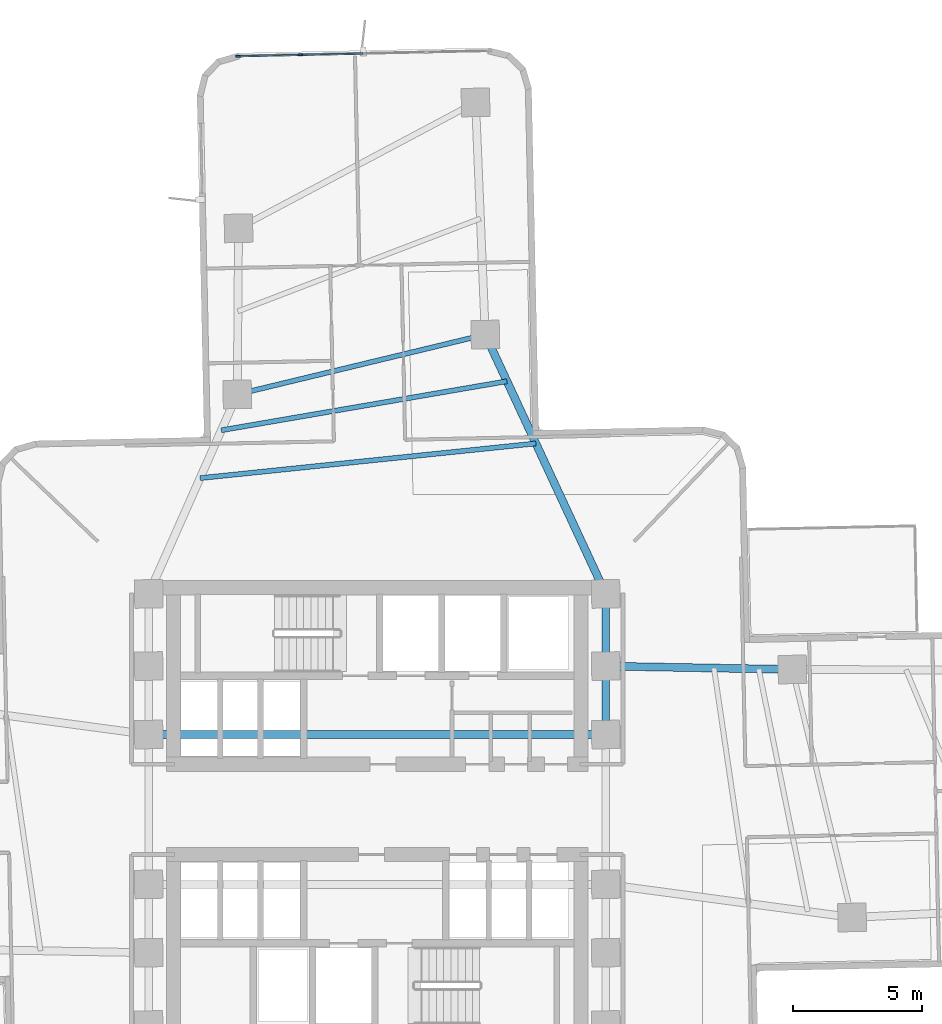
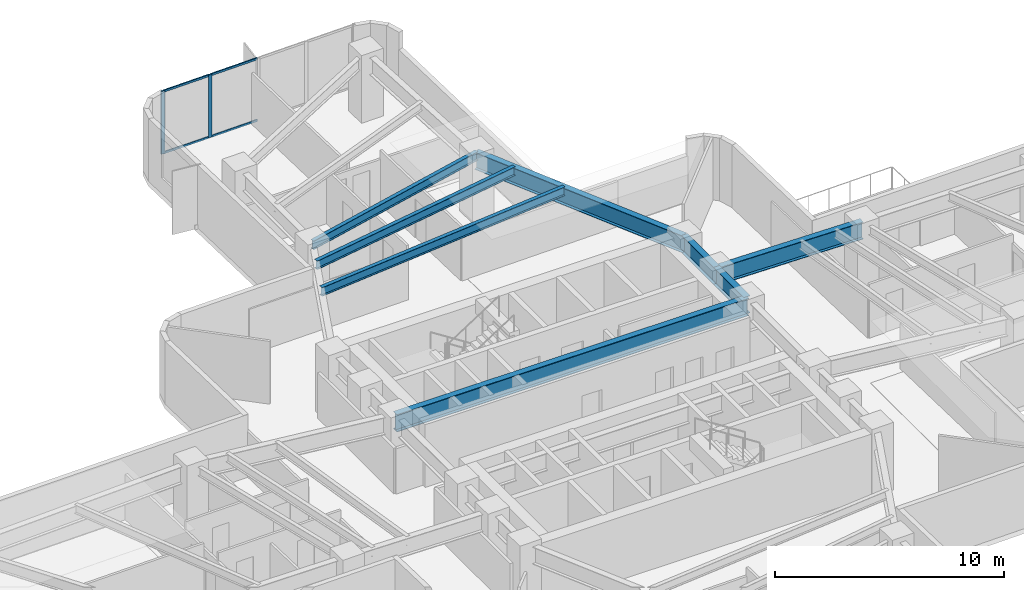
# One storey, part 5 of 15: 8 beams, 6 members, 1 element without a shape of its own.
"""IFC4 building model written with IfcOpenShell, lengths in metres."""

import ifcopenshell
import ifcopenshell.guid

model = None  # the IFC model being written
_history = None  # IfcOwnerHistory: only IFC2X3 demands one
_inside = {}  # id of a spatial element -> (the spatial element, [elements in it])
_under = {}  # id of a project, library or spatial element -> (it, [spatial elements below it])
_declared = {}  # id of a project -> (the project, [libraries it declares])
_typed = {}  # id of a type object -> (the type object, [elements of that type])
_made_of = {}  # id of a material, layer set ... -> (it, [elements and type objects made of it])


def new_model(schema):
    """Start an empty IFC model of exactly this schema.

    Asked for "IFC4X3", IfcOpenShell would pick the latest addendum, in which some entities
    have other attributes; the version numbers below select the first issue.
    IFC2X3 requires an IfcOwnerHistory on every rooted entity: one is made here for all.
    """
    global model, _history
    if schema == "IFC4X3":
        model = ifcopenshell.file(schema_version=(4, 3, 0, 0))
    else:
        model = ifcopenshell.file(schema=schema)
    _inside.clear()
    _under.clear()
    _declared.clear()
    _typed.clear()
    _made_of.clear()
    _history = None
    if model.schema == "IFC2X3":
        org = make("IfcOrganization", Name="unknown")
        user = make(
            "IfcPersonAndOrganization",
            ThePerson=make("IfcPerson", FamilyName="unknown"),
            TheOrganization=org,
        )
        app = make(
            "IfcApplication",
            ApplicationDeveloper=org,
            Version="unknown",
            ApplicationFullName="unknown",
            ApplicationIdentifier="unknown",
        )
        _history = make(
            "IfcOwnerHistory",
            OwningUser=user,
            OwningApplication=app,
            ChangeAction="ADDED",
            CreationDate=0,
        )
    return model


def make(cls, **values):
    """One entity of the class cls with the attributes given. An attribute that is None is left unset."""
    return model.create_entity(
        cls, **{name: value for name, value in values.items() if value is not None}
    )


def rooted(cls, **values):
    """An entity with a GlobalId (a new one), such as an element, a storey or a relation."""
    return make(cls, GlobalId=ifcopenshell.guid.new(), OwnerHistory=_history, **values)


def si_unit(unit_type, name, prefix=None):
    """IfcSIUnit, for example si_unit("LENGTHUNIT", "METRE", prefix="MILLI")."""
    return make("IfcSIUnit", UnitType=unit_type, Prefix=prefix, Name=name)


def assignment(units):
    """IfcUnitAssignment: the units of a project."""
    return None if units is None else make("IfcUnitAssignment", Units=units)


def point(xyz):
    """IfcCartesianPoint."""
    return None if xyz is None else make("IfcCartesianPoint", Coordinates=xyz)


def direction(xyz):
    """IfcDirection."""
    return None if xyz is None else make("IfcDirection", DirectionRatios=xyz)


def frame(location, z_axis=None, x_axis=None):
    """IfcAxis2Placement3D, a coordinate frame: its origin and axes. An axis left out is left unset."""
    return make(
        "IfcAxis2Placement3D",
        Location=point(location),
        Axis=direction(z_axis),
        RefDirection=direction(x_axis),
    )


def frame_2d(location, x_axis=None):
    """IfcAxis2Placement2D, a coordinate frame in the plane: its origin and x axis."""
    return make(
        "IfcAxis2Placement2D", Location=point(location), RefDirection=direction(x_axis)
    )


def origin():
    """The frame at (0, 0, 0) with its axes left unset."""
    return frame((0.0, 0.0, 0.0))


def origin_2d():
    """The frame at (0, 0) in the plane with its x axis left unset."""
    return frame_2d((0.0, 0.0))


def place(relative_to, where):
    """IfcLocalPlacement: puts the frame where relative to a parent placement (None: the world)."""
    return make(
        "IfcLocalPlacement", PlacementRelTo=relative_to, RelativePlacement=where
    )


def context(
    kind, dimensions, precision=None, world=None, true_north=None, identifier=None
):
    """IfcGeometricRepresentationContext, for example the 3D "Model" context."""
    return make(
        "IfcGeometricRepresentationContext",
        ContextIdentifier=identifier,
        ContextType=kind,
        CoordinateSpaceDimension=dimensions,
        Precision=precision,
        WorldCoordinateSystem=world,
        TrueNorth=true_north,
    )


def subcontext(parent, identifier, kind, view, scale=None):
    """IfcGeometricRepresentationSubContext, for example "Body" below "Model"."""
    return make(
        "IfcGeometricRepresentationSubContext",
        ContextIdentifier=identifier,
        ContextType=kind,
        ParentContext=parent,
        TargetScale=scale,
        TargetView=view,
    )


def project(units=None, contexts=None):
    """IfcProject with its units and contexts."""
    return rooted(
        "IfcProject",
        Name="project",
        RepresentationContexts=contexts,
        UnitsInContext=assignment(units),
    )


def spatial(cls, under=None, at=None, **own):
    """A site, building, storey or space (cls), placed at a placement, below another one or the project."""
    s = rooted(cls, ObjectPlacement=at, **own)
    if under is not None:
        _under.setdefault(under.id(), (under, []))[1].append(s)
    return s


def profile(cls, at=None, kind="AREA", **sizes):
    """A parametric profile (cls). Its sizes go by their IFC names, for example OverallWidth=200.0."""
    return make(cls, ProfileType=kind, Position=at, **sizes)


def rectangle(**sizes):
    """IfcRectangleProfileDef."""
    return profile("IfcRectangleProfileDef", **sizes)


def i_section(**sizes):
    """IfcIShapeProfileDef."""
    return profile("IfcIShapeProfileDef", **sizes)


def extrude(swept, where, along, depth):
    """IfcExtrudedAreaSolid: the profile swept, set in the frame where, extruded along a direction by depth."""
    return make(
        "IfcExtrudedAreaSolid",
        SweptArea=swept,
        Position=where,
        ExtrudedDirection=direction(along),
        Depth=depth,
    )


def shape(context_of_items, identifier, shape_type, items):
    """IfcShapeRepresentation: the items that make up one representation, for example the "Body"."""
    return make(
        "IfcShapeRepresentation",
        ContextOfItems=context_of_items,
        RepresentationIdentifier=identifier,
        RepresentationType=shape_type,
        Items=items,
    )


def material(Name=None, Category=None):
    """IfcMaterial."""
    return make("IfcMaterial", Name=Name, Category=Category)


def layer(
    of_material, thickness, ventilated=None, Name=None, Category=None, Priority=None
):
    """IfcMaterialLayer: one layer of a wall or slab, of a material (None: an air gap)."""
    return make(
        "IfcMaterialLayer",
        Material=of_material,
        LayerThickness=thickness,
        IsVentilated=ventilated,
        Name=Name,
        Category=Category,
        Priority=Priority,
    )


def layer_set(layers, Name=None):
    """IfcMaterialLayerSet."""
    return make("IfcMaterialLayerSet", MaterialLayers=layers, LayerSetName=Name)


def material_profile(
    of_material, cross_section, Name=None, Category=None, Priority=None
):
    """IfcMaterialProfile: a cross section and its material."""
    return make(
        "IfcMaterialProfile",
        Name=Name,
        Material=of_material,
        Profile=cross_section,
        Priority=Priority,
        Category=Category,
    )


def profile_set(profiles, Name=None, composite=None):
    """IfcMaterialProfileSet."""
    return make(
        "IfcMaterialProfileSet",
        Name=Name,
        MaterialProfiles=profiles,
        CompositeProfile=composite,
    )


def made_of(thing, what):
    """Note that an element or type object is made of a material, layer set ...; save() writes the relation."""
    if what is not None:
        _made_of.setdefault(what.id(), (what, []))[1].append(thing)
    return thing


def type_object(cls, material=None, **own):
    """A type object (cls), such as IfcWallType, which elements share."""
    return made_of(rooted(cls, **own), material)


def element(
    cls,
    number,
    at=None,
    inside=None,
    cuts=None,
    type_object=None,
    material=None,
    context=None,
    identifier="Body",
    shape_type=None,
    held_by="IfcProductDefinitionShape",
    body=None,
    shapes=None,
    **own,
):
    """One element of the class cls, such as IfcWall. Its Tag is "e" and its number.

    at: its placement. inside: the storey or other place that contains it. cuts: it is an
    opening in that element (IfcRelVoidsElement). A single representation is given by context,
    identifier, shape_type and body (its items); several are given by shapes. held_by: the class
    of the entity that holds the representations. save() writes the other relations.
    """
    e = rooted(cls, Tag="e%d" % number, ObjectPlacement=at, **own)
    if body is not None:
        shapes = [shape(context, identifier, shape_type, body)]
    if shapes is not None:
        e.Representation = make(held_by, Representations=shapes)
    if inside is not None:
        _inside.setdefault(inside.id(), (inside, []))[1].append(e)
    if cuts is not None:
        rooted(
            "IfcRelVoidsElement", RelatingBuildingElement=cuts, RelatedOpeningElement=e
        )
    if type_object is not None:
        _typed.setdefault(type_object.id(), (type_object, []))[1].append(e)
    return made_of(e, material)


def aggregate(whole, parts):
    """IfcRelAggregates: a whole, such as a stair, and the parts it consists of."""
    return rooted("IfcRelAggregates", RelatingObject=whole, RelatedObjects=parts)


def save(model, path):
    """Write the relations noted so far, then the file.

    IfcRelAggregates (storeys below a building ...), IfcRelContainedInSpatialStructure (elements
    in a storey), IfcRelDefinesByType, IfcRelAssociatesMaterial and IfcRelDeclares: one each for
    every whole, place, type object, material and project.
    """
    for whole, parts in _under.values():
        aggregate(whole, parts)
    for where, things in _inside.values():
        rooted(
            "IfcRelContainedInSpatialStructure",
            RelatedElements=things,
            RelatingStructure=where,
        )
    for kind, things in _typed.values():
        rooted("IfcRelDefinesByType", RelatedObjects=things, RelatingType=kind)
    for what, things in _made_of.values():
        rooted("IfcRelAssociatesMaterial", RelatedObjects=things, RelatingMaterial=what)
    for by, libraries in _declared.values():
        rooted("IfcRelDeclares", RelatingContext=by, RelatedDefinitions=libraries)
    model.write(path)


model = new_model("IFC4")

# Units and contexts
model_context = context("Model", 3, precision=1e-05, world=origin(), true_north=direction((0.0, 1.0)))
body_context = subcontext(model_context, "Body", "Model", "MODEL_VIEW")
ifc_project = project(units=[si_unit("LENGTHUNIT", "METRE"), si_unit("AREAUNIT", "SQUARE_METRE"), si_unit("VOLUMEUNIT", "CUBIC_METRE"), si_unit("PLANEANGLEUNIT", "RADIAN"), si_unit("MASSUNIT", "GRAM", prefix="KILO")], contexts=[model_context])

# Site, building, storey
site_placement = place(None, origin())
site = spatial("IfcSite", under=ifc_project, at=site_placement, CompositionType="ELEMENT")
building_placement = place(site_placement, origin())
building = spatial("IfcBuilding", under=site, at=building_placement, Name="Solmarez Civic Tower", CompositionType="ELEMENT")
storey_placement = place(building_placement, frame((0.0, 0.0, 38.8798828125)))
storey = spatial("IfcBuildingStorey", under=building, at=storey_placement, Name="L09", CompositionType="ELEMENT", Elevation=38.8798828125)

# Beams
ifc_material_1 = material(Name="Steel S355", Category="steel")
ifc_material_profile_1 = material_profile(ifc_material_1, i_section(OverallWidth=0.19189453125, OverallDepth=0.462890625, WebThickness=0.010498046875, FlangeThickness=0.017578125, at=origin_2d()), Name="W18X60")
ifc_profile_set_1 = profile_set([ifc_material_profile_1], Name="Steel S355")
beam_type_1 = type_object("IfcBeamType", Name="BM-JS-W18X60", PredefinedType="JOIST", material=ifc_profile_set_1)
beam_1_placement = place(storey_placement, frame((4.18408203125, 18.39111328125, 3.109130859375), z_axis=(-0.97215737271, -0.234328919867, 0.0), x_axis=(0.234328919867, -0.97215737271, 0.0)))
element("IfcBeam", 1, at=beam_1_placement, inside=storey, type_object=beam_type_1, Name="L09 Secondary Floor Joist BM-L09-NA-T1", PredefinedType="JOIST", context=body_context, shape_type="SweptSolid", body=[
    extrude(i_section(OverallWidth=0.19189453125, OverallDepth=0.462890625, WebThickness=0.010498046875, FlangeThickness=0.017578125, at=origin_2d()), origin(), (0.0, 0.0, 1.0), 9.880126953125),
])
beam_2_placement = place(storey_placement, frame((6.14404296875, 14.174072265625, 3.109130859375), z_axis=(-0.9947100999, -0.102722038325, 0.0), x_axis=(0.102722038325, -0.9947100999, 0.0)))
element("IfcBeam", 2, at=beam_2_placement, inside=storey, type_object=beam_type_1, Name="L09 Secondary Floor Joist JS-L09-NA-M11", PredefinedType="JOIST", context=body_context, shape_type="SweptSolid", body=[
    extrude(i_section(OverallWidth=0.19189453125, OverallDepth=0.462890625, WebThickness=0.010498046875, FlangeThickness=0.017578125, at=origin_2d()), origin(), (0.0, 0.0, 1.0), 13.07421875),
])
beam_3_placement = place(storey_placement, frame((5.02392578125, 16.583984375, 3.109130859375), z_axis=(-0.985583934907, -0.169187195889, 0.0), x_axis=(0.169187195889, -0.985583934907, 0.0)))
element("IfcBeam", 3, at=beam_3_placement, inside=storey, type_object=beam_type_1, Name="L09 Secondary Floor Joist JS-L09-NA-M12", PredefinedType="JOIST", context=body_context, shape_type="SweptSolid", body=[
    extrude(i_section(OverallWidth=0.19189453125, OverallDepth=0.462890625, WebThickness=0.010498046875, FlangeThickness=0.017578125, at=origin_2d()), origin(), (0.0, 0.0, 1.0), 11.223876953125),
])
ifc_material_profile_2 = material_profile(ifc_material_1, i_section(OverallWidth=0.303955078125, OverallDepth=0.910888671875, WebThickness=0.015869140625, FlangeThickness=0.02392578125, at=origin_2d()), Name="W36X150")
ifc_profile_set_2 = profile_set([ifc_material_profile_2], Name="Steel S355")
beam_type_2 = type_object("IfcBeamType", Name="BM-PR-W36X150", PredefinedType="BEAM", material=ifc_profile_set_2)
beam_4_placement = place(storey_placement, frame((8.85009765625, 5.550048828125, 2.884033203125), z_axis=(0.999840308455, -0.017870578882, 0.0), x_axis=(0.017870578882, 0.999840308455, 0.0)))
element("IfcBeam", 4, at=beam_4_placement, inside=storey, type_object=beam_type_2, Name="L09 Primary Floor Beam BM-L09-EA-R1B", PredefinedType="BEAM", context=body_context, shape_type="SweptSolid", body=[
    extrude(i_section(OverallWidth=0.303955078125, OverallDepth=0.910888671875, WebThickness=0.015869140625, FlangeThickness=0.02392578125, at=origin_2d()), origin(), (0.0, 0.0, 1.0), 7.22705078125),
])
beam_5_placement = place(storey_placement, frame((8.85009765625, 8.35009765625, 2.884033203125), z_axis=(-0.421417065364, 0.906866945599, 0.0), x_axis=(-0.906866945599, -0.421417065364, 0.0)))
element("IfcBeam", 5, at=beam_5_placement, inside=storey, type_object=beam_type_2, Name="L09 Primary Floor Beam BM-L09-NA-R1A", PredefinedType="BEAM", context=body_context, shape_type="SweptSolid", body=[
    extrude(i_section(OverallWidth=0.303955078125, OverallDepth=0.910888671875, WebThickness=0.015869140625, FlangeThickness=0.02392578125, at=origin_2d()), origin(), (0.0, 0.0, 1.0), 11.072265625),
])
ifc_material_profile_3 = material_profile(ifc_material_1, i_section(OverallWidth=0.306884765625, OverallDepth=0.927001953125, WebThickness=0.019287109375, FlangeThickness=0.031982421875, at=origin_2d()), Name="W36X194")
ifc_profile_set_3 = profile_set([ifc_material_profile_3], Name="Steel S355")
beam_type_3 = type_object("IfcBeamType", Name="BM-PR-W36X194", PredefinedType="BEAM", material=ifc_profile_set_3)
beam_6_placement = place(storey_placement, frame((8.85009765625, 2.89990234375, 2.876220703125), z_axis=(0.0, 1.0, 0.0), x_axis=(-1.0, 0.0, 0.0)))
element("IfcBeam", 6, at=beam_6_placement, inside=storey, type_object=beam_type_3, Name="L09 Primary Floor Beam BM-L09-HC7-HC8", PredefinedType="BEAM", context=body_context, shape_type="SweptSolid", body=[
    extrude(i_section(OverallWidth=0.306884765625, OverallDepth=0.927001953125, WebThickness=0.019287109375, FlangeThickness=0.031982421875, at=origin_2d()), origin(), (0.0, 0.0, 1.0), 2.650146484375),
])
beam_7_placement = place(storey_placement, frame((8.85009765625, 5.550048828125, 2.876220703125), z_axis=(0.0, 1.0, 0.0), x_axis=(-1.0, 0.0, 0.0)))
element("IfcBeam", 7, at=beam_7_placement, inside=storey, type_object=beam_type_3, Name="L09 Primary Floor Beam BM-L09-HC8-HC11", PredefinedType="BEAM", context=body_context, shape_type="SweptSolid", body=[
    extrude(i_section(OverallWidth=0.306884765625, OverallDepth=0.927001953125, WebThickness=0.019287109375, FlangeThickness=0.031982421875, at=origin_2d()), origin(), (0.0, 0.0, 1.0), 2.800048828125),
])
beam_8_placement = place(storey_placement, frame((-8.85009765625, 2.89990234375, 2.876220703125), z_axis=(1.0, 0.0, 0.0), x_axis=(0.0, 1.0, 0.0)))
element("IfcBeam", 8, at=beam_8_placement, inside=storey, type_object=beam_type_3, Name="L09 Primary Floor Beam BM-L09-HC3-HC7", PredefinedType="BEAM", context=body_context, shape_type="SweptSolid", body=[
    extrude(i_section(OverallWidth=0.306884765625, OverallDepth=0.927001953125, WebThickness=0.019287109375, FlangeThickness=0.031982421875, at=origin_2d()), origin(), (0.0, 0.0, 1.0), 17.7001953125),
])

# Curtain wall, members
ifc_material_2 = material(Name="Bronze Anodised Aluminium EN AW-6063 T6", Category="aluminium")
ifc_layer = layer(ifc_material_2, 0.155029296875)
ifc_layer_set = layer_set([ifc_layer], Name="Bronze Anodised Aluminium EN AW-6063 T6")
curtain_wall_type = type_object("IfcCurtainWallType", Name="CW-SYS-6", PredefinedType="NOTDEFINED", material=ifc_layer_set)
curtain_wall_placement = place(storey_placement, origin())
curtain_wall = element("IfcCurtainWall", 9, at=curtain_wall_placement, inside=storey, type_object=curtain_wall_type, Name="L09 Stick-Built Curtain Wall 2", PredefinedType="NOTDEFINED")
ifc_material_profile_4 = material_profile(ifc_material_2, rectangle(XDim=0.070068359375, YDim=0.179931640625, at=origin_2d()), Name="CWM-70X180")
ifc_profile_set_4 = profile_set([ifc_material_profile_4], Name="Bronze Anodised Aluminium EN AW-6063 T6")
member_type_1 = type_object("IfcMemberType", Name="CWM-TYPE-2", PredefinedType="MULLION", material=ifc_profile_set_4)
member_1_placement = place(storey_placement, frame((-5.385986328125, 29.1728515625, 0.0), z_axis=(0.0, 0.0, 1.0), x_axis=(-0.021067336354, 0.999778059041, 0.0)))
member_1 = element("IfcMember", 10, at=member_1_placement, type_object=member_type_1, Name="CWS6 mullion 1", PredefinedType="MULLION", context=body_context, shape_type="SweptSolid", body=[
    extrude(rectangle(XDim=0.070068359375, YDim=0.179931640625, at=origin_2d()), origin(), (0.0, 0.0, 1.0), 3.340087890625),
])
member_2_placement = place(storey_placement, frame((-2.97705078125, 29.223388671875, 0.0), z_axis=(0.0, 0.0, 1.0), x_axis=(-0.021067336354, 0.999778059041, 0.0)))
member_2 = element("IfcMember", 11, at=member_2_placement, type_object=member_type_1, Name="CWS6 mullion 2", PredefinedType="MULLION", context=body_context, shape_type="SweptSolid", body=[
    extrude(rectangle(XDim=0.070068359375, YDim=0.179931640625, at=origin_2d()), origin(), (0.0, 0.0, 1.0), 3.340087890625),
])
ifc_material_profile_5 = material_profile(ifc_material_2, rectangle(XDim=0.06005859375, YDim=0.110107421875, at=origin_2d()), Name="CWT-60X110")
ifc_profile_set_5 = profile_set([ifc_material_profile_5], Name="Bronze Anodised Aluminium EN AW-6063 T6")
member_type_2 = type_object("IfcMemberType", Name="CWT-TYPE-3", PredefinedType="USERDEFINED", material=ifc_profile_set_5)
member_3_placement = place(storey_placement, frame((-5.35107421875, 29.173583984375, 0.030029296875), z_axis=(0.999780012952, 0.020974405866, 0.0), x_axis=(-0.020974405866, 0.999780012952, 0.0)))
member_3 = element("IfcMember", 12, at=member_3_placement, type_object=member_type_2, Name="CWS6 transom 1.1", ObjectType="TRANSOM", PredefinedType="USERDEFINED", context=body_context, shape_type="SweptSolid", body=[
    extrude(rectangle(XDim=0.06005859375, YDim=0.110107421875, at=origin_2d()), origin(), (0.0, 0.0, 1.0), 2.339599609375),
])
member_4_placement = place(storey_placement, frame((-5.35107421875, 29.173583984375, 3.31005859375), z_axis=(0.999780012952, 0.020974405866, 0.0), x_axis=(-0.020974405866, 0.999780012952, 0.0)))
member_4 = element("IfcMember", 13, at=member_4_placement, type_object=member_type_2, Name="CWS6 transom 1.2", ObjectType="TRANSOM", PredefinedType="USERDEFINED", context=body_context, shape_type="SweptSolid", body=[
    extrude(rectangle(XDim=0.06005859375, YDim=0.110107421875, at=origin_2d()), origin(), (0.0, 0.0, 1.0), 2.339599609375),
])
member_5_placement = place(storey_placement, frame((-2.94189453125, 29.22412109375, 0.030029296875), z_axis=(0.999777851651, 0.021077176017, 0.0), x_axis=(-0.021077176017, 0.999777851651, 0.0)))
member_5 = element("IfcMember", 14, at=member_5_placement, type_object=member_type_2, Name="CWS6 transom 2.1", ObjectType="TRANSOM", PredefinedType="USERDEFINED", context=body_context, shape_type="SweptSolid", body=[
    extrude(rectangle(XDim=0.06005859375, YDim=0.110107421875, at=origin_2d()), origin(), (0.0, 0.0, 1.0), 2.37451171875),
])
member_6_placement = place(storey_placement, frame((-2.94189453125, 29.22412109375, 3.31005859375), z_axis=(0.999777851651, 0.021077176017, 0.0), x_axis=(-0.021077176017, 0.999777851651, 0.0)))
member_6 = element("IfcMember", 15, at=member_6_placement, type_object=member_type_2, Name="CWS6 transom 2.2", ObjectType="TRANSOM", PredefinedType="USERDEFINED", context=body_context, shape_type="SweptSolid", body=[
    extrude(rectangle(XDim=0.06005859375, YDim=0.110107421875, at=origin_2d()), origin(), (0.0, 0.0, 1.0), 2.37451171875),
])
aggregate(curtain_wall, [member_1, member_2, member_3, member_4, member_5, member_6])

save(model, "model.ifc")
